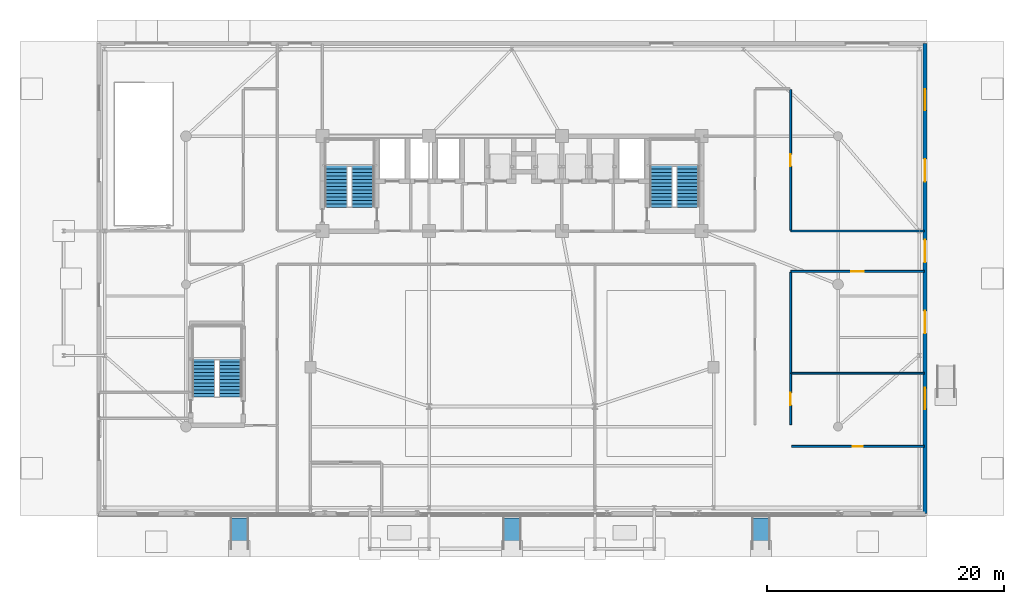
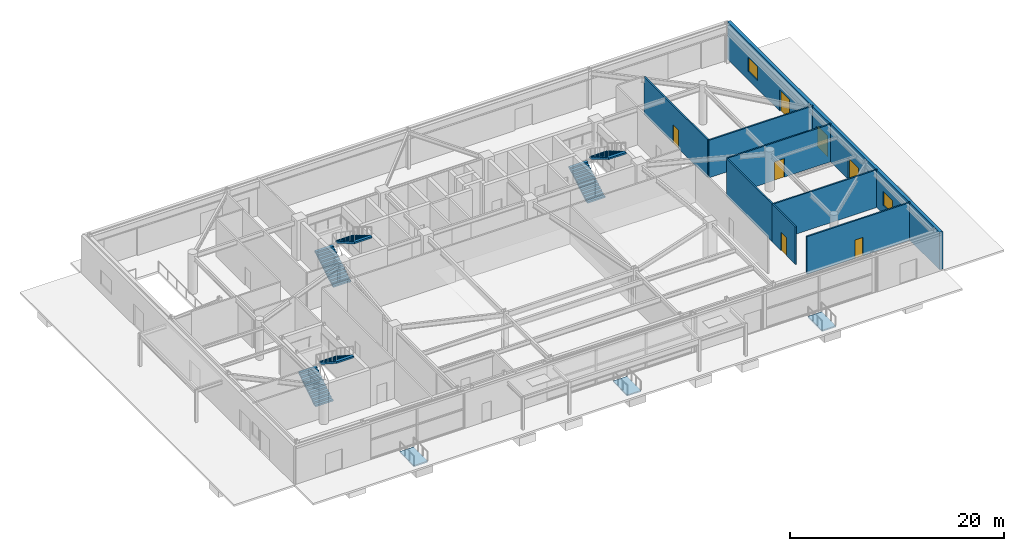
# One storey, part 23 of 29: 8 walls, 7 doors, 6 stair flights, 3 ramp flights, 2 windows, 9 openings, 6 elements without a shape of their own.
"""IFC4 building model written with IfcOpenShell, lengths in metres."""

from ifc_helpers import new_model, si_unit, direction, frame, frame_2d, origin, place, context, subcontext, project, spatial, polyline, rectangle, outline, extrude, source, transform, mapped, material, layer, layer_set, type_object, element, fill, aggregate, save


model = new_model("IFC4")

# Units and contexts
model_context = context("Model", 3, precision=1e-05, world=origin(), true_north=direction((0.0, 1.0)))
body_context = subcontext(model_context, "Body", "Model", "MODEL_VIEW")
ifc_project = project(units=[si_unit("LENGTHUNIT", "METRE"), si_unit("AREAUNIT", "SQUARE_METRE"), si_unit("VOLUMEUNIT", "CUBIC_METRE"), si_unit("PLANEANGLEUNIT", "RADIAN"), si_unit("MASSUNIT", "GRAM", prefix="KILO")], contexts=[model_context])

# Site, building, storey
site_placement = place(None, origin())
site = spatial("IfcSite", under=ifc_project, at=site_placement, CompositionType="ELEMENT")
building_placement = place(site_placement, origin())
building = spatial("IfcBuilding", under=site, at=building_placement, Name="Taldren Reach Tower", CompositionType="ELEMENT")
storey_placement = place(building_placement, origin())
storey = spatial("IfcBuildingStorey", under=building, at=storey_placement, Name="L00", CompositionType="ELEMENT", Elevation=0.0)

# Wall, openings, doors, windows
ifc_material_1 = material(Name="Pale Champagne Anodised Aluminium Cladding", Category="aluminium")
ifc_layer_1 = layer(ifc_material_1, 0.04, Name="Pale Champagne Anodised Aluminium Cladding", Category="aluminium")
ifc_material_2 = material(Name="Mineral Wool Thermal Insulation", Category="insulation")
ifc_layer_2 = layer(ifc_material_2, 0.08, Name="Mineral Wool Thermal Insulation", Category="insulation")
ifc_material_3 = material(Name="Concrete S50 (50 MPa)", Category="concrete")
ifc_layer_3 = layer(ifc_material_3, 0.22, Name="Concrete S50 (50 MPa)", Category="concrete")
ifc_layer_set_1 = layer_set([ifc_layer_1, ifc_layer_2, ifc_layer_3], Name="Pale Champagne Aluminium Cladding and Precast Concrete 50 MPa (S50)")
wall_type_1 = type_object("IfcWallType", Name="EW-POD-340", PredefinedType="SOLIDWALL", material=ifc_layer_set_1)
shared_shape_1 = source(origin(), body_context, "Body", "SweptSolid", [
    extrude(rectangle(XDim=39.66015625, YDim=0.340087890625, at=frame_2d((19.830078125, 0.0))), origin(), (0.0, 0.0, 1.0), 4.2900390625),
])
wall_1_placement = place(storey_placement, frame((69.830078125, 0.169921875, 0.0), z_axis=(0.0, 0.0, 1.0), x_axis=(0.0, 1.0, 0.0)))
wall_1 = element("IfcWall", 1, at=wall_1_placement, inside=storey, type_object=wall_type_1, Name="Podium east garden wall L00", PredefinedType="SOLIDWALL", context=body_context, shape_type="MappedRepresentation", body=[
    mapped(shared_shape_1, transform((0.0, 0.0, 0.0), scale=1.0)),
])
shared_shape_2 = source(origin(), body_context, "Body", "SweptSolid", [
    extrude(rectangle(XDim=1.89990234375, YDim=2.39990234375, at=frame_2d((0.949951171875, 1.199951171875))), frame((0.0, 0.18017578125, 0.0), z_axis=(0.0, -1.0, 0.0), x_axis=(1.0, 0.0, 0.0)), (0.0, 0.0, 1.0), 0.360107421875),
])
opening_1_placement = place(wall_1_placement, frame((21.179931640625, 0.0, 0.0)))
opening_1 = element("IfcOpeningElement", 2, at=opening_1_placement, cuts=wall_1, Name="Opening ED-190", PredefinedType="OPENING", context=body_context, shape_type="MappedRepresentation", body=[
    mapped(shared_shape_2, transform((0.0, 0.0, 0.0), scale=1.0)),
])
opening_2_placement = place(wall_1_placement, frame((15.199951171875, 0.0, 0.0)))
opening_2 = element("IfcOpeningElement", 3, at=opening_2_placement, cuts=wall_1, Name="Opening ED-190", PredefinedType="OPENING", context=body_context, shape_type="MappedRepresentation", body=[
    mapped(shared_shape_2, transform((0.0, 0.0, 0.0), scale=1.0)),
])
opening_3_placement = place(wall_1_placement, frame((28.0, 0.0, 0.0)))
opening_3 = element("IfcOpeningElement", 4, at=opening_3_placement, cuts=wall_1, Name="Opening ED-190", PredefinedType="OPENING", context=body_context, shape_type="MappedRepresentation", body=[
    mapped(shared_shape_2, transform((0.0, 0.0, 0.0), scale=1.0)),
])
shared_shape_3 = source(origin(), body_context, "Body", "SweptSolid", [
    extrude(rectangle(XDim=1.800048828125, YDim=1.60009765625, at=frame_2d((0.89990234375, 0.800048828125))), frame((0.0, 0.18017578125, 0.0), z_axis=(0.0, -1.0, 0.0), x_axis=(1.0, 0.0, 0.0)), (0.0, 0.0, 1.0), 0.360107421875),
])
opening_4_placement = place(wall_1_placement, frame((8.800048828125, 0.0, 0.949951171875)))
opening_4 = element("IfcOpeningElement", 5, at=opening_4_placement, cuts=wall_1, Name="Opening W-1816", PredefinedType="OPENING", context=body_context, shape_type="MappedRepresentation", body=[
    mapped(shared_shape_3, transform((0.0, 0.0, 0.0), scale=1.0)),
])
opening_5_placement = place(wall_1_placement, frame((34.0, 0.0, 0.949951171875)))
opening_5 = element("IfcOpeningElement", 6, at=opening_5_placement, cuts=wall_1, Name="Opening W-1816", PredefinedType="OPENING", context=body_context, shape_type="MappedRepresentation", body=[
    mapped(shared_shape_3, transform((0.0, 0.0, 0.0), scale=1.0)),
])
ifc_material_4 = material(Name="Glazed Aluminium Double Exit Door", Category="aluminium")
door_type_1 = type_object("IfcDoorType", Name="ED-EXIT-1900", OperationType="DOUBLE_DOOR_SINGLE_SWING", PredefinedType="DOOR", material=ifc_material_4)
shared_shape_4 = source(origin(), body_context, "Body", "SweptSolid", [
    extrude(rectangle(XDim=1.89990234375, YDim=2.39990234375, at=frame_2d((0.949951171875, 1.199951171875))), frame((0.0, 0.02490234375, 0.0), z_axis=(0.0, -1.0, 0.0), x_axis=(1.0, 0.0, 0.0)), (0.0, 0.0, 1.0), 0.050048828125),
])
door_1_placement = place(opening_1_placement, frame((1.89990234375, 0.0, 0.0), z_axis=(0.0, 0.0, 1.0), x_axis=(-1.0, 0.0, 0.0)))
door_1 = element("IfcDoor", 7, at=door_1_placement, inside=storey, type_object=door_type_1, Name="East garden exit door ED-L00-E1", OperationType="DOUBLE_DOOR_SINGLE_SWING", OverallHeight=2.39990234375, OverallWidth=1.89990234375, PredefinedType="DOOR", context=body_context, shape_type="MappedRepresentation", body=[
    mapped(shared_shape_4, transform((0.0, 0.0, 0.0), scale=1.0)),
])
fill(opening_1, door_1)
door_2_placement = place(opening_2_placement, frame((1.89990234375, 0.0, 0.0), z_axis=(0.0, 0.0, 1.0), x_axis=(-1.0, 0.0, 0.0)))
door_2 = element("IfcDoor", 8, at=door_2_placement, inside=storey, type_object=door_type_1, Name="East garden exit door ED-L00-E2", OperationType="DOUBLE_DOOR_SINGLE_SWING", OverallHeight=2.39990234375, OverallWidth=1.89990234375, PredefinedType="DOOR", context=body_context, shape_type="MappedRepresentation", body=[
    mapped(shared_shape_4, transform((0.0, 0.0, 0.0), scale=1.0)),
])
fill(opening_2, door_2)
door_3_placement = place(opening_3_placement, frame((1.89990234375, 0.0, 0.0), z_axis=(0.0, 0.0, 1.0), x_axis=(-1.0, 0.0, 0.0)))
door_3 = element("IfcDoor", 9, at=door_3_placement, inside=storey, type_object=door_type_1, Name="East garden exit door ED-L00-E3", OperationType="DOUBLE_DOOR_SINGLE_SWING", OverallHeight=2.39990234375, OverallWidth=1.89990234375, PredefinedType="DOOR", context=body_context, shape_type="MappedRepresentation", body=[
    mapped(shared_shape_4, transform((0.0, 0.0, 0.0), scale=1.0)),
])
fill(opening_3, door_3)
ifc_material_5 = material(Name="Thermally Broken Aluminium and Low-E IGU", Category="aluminium")
window_type = type_object("IfcWindowType", Name="WN-POD-1800", PartitioningType="SINGLE_PANEL", PredefinedType="WINDOW", material=ifc_material_5)
shared_shape_5 = source(origin(), body_context, "Body", "SweptSolid", [
    extrude(rectangle(XDim=1.800048828125, YDim=1.60009765625, at=frame_2d((0.89990234375, 0.800048828125))), frame((0.0, 0.030029296875, 0.0), z_axis=(0.0, -1.0, 0.0), x_axis=(1.0, 0.0, 0.0)), (0.0, 0.0, 1.0), 0.06005859375),
])
window_1_placement = place(opening_4_placement, origin())
window_1 = element("IfcWindow", 10, at=window_1_placement, inside=storey, type_object=window_type, Name="East clinic window L00-E1", OverallHeight=1.60009765625, OverallWidth=1.800048828125, PartitioningType="SINGLE_PANEL", PredefinedType="WINDOW", context=body_context, shape_type="MappedRepresentation", body=[
    mapped(shared_shape_5, transform((0.0, 0.0, 0.0), scale=1.0)),
])
fill(opening_4, window_1)
window_2_placement = place(opening_5_placement, origin())
window_2 = element("IfcWindow", 11, at=window_2_placement, inside=storey, type_object=window_type, Name="East clinic window L00-E2", OverallHeight=1.60009765625, OverallWidth=1.800048828125, PartitioningType="SINGLE_PANEL", PredefinedType="WINDOW", context=body_context, shape_type="MappedRepresentation", body=[
    mapped(shared_shape_5, transform((0.0, 0.0, 0.0), scale=1.0)),
])
fill(opening_5, window_2)

# Wall, opening, door
ifc_material_6 = material(Name="Fire-Rated Acoustic Plasterboard Stud Wall", Category="gypsum")
ifc_layer_4 = layer(ifc_material_6, 0.159912109375)
ifc_layer_set_2 = layer_set([ifc_layer_4], Name="Fire-Rated Acoustic Plasterboard Stud Wall")
wall_type_2 = type_object("IfcWallType", Name="IW-FIRE-160", PredefinedType="PARTITIONING", material=ifc_layer_set_2)
shared_shape_6 = source(origin(), body_context, "Body", "SweptSolid", [
    extrude(rectangle(XDim=11.83984375, YDim=0.159912109375, at=frame_2d((5.919921875, 0.0))), origin(), (0.0, 0.0, 1.0), 4.2900390625),
])
wall_2_placement = place(storey_placement, frame((58.5, 35.919921875, 0.0), z_axis=(0.0, 0.0, 1.0), x_axis=(0.0, -1.0, 0.0)))
wall_2 = element("IfcWall", 12, at=wall_2_placement, inside=storey, type_object=wall_type_2, Name="Interior Partition Wall W-INT-L00-067", PredefinedType="PARTITIONING", context=body_context, shape_type="MappedRepresentation", body=[
    mapped(shared_shape_6, transform((0.0, 0.0, 0.0), scale=1.0)),
])
shared_shape_7 = source(origin(), body_context, "Body", "SweptSolid", [
    extrude(rectangle(XDim=1.050048828125, YDim=2.10009765625, at=frame_2d((0.52490234375, 1.050048828125))), frame((0.0, 0.08984375, 0.0), z_axis=(0.0, -1.0, 0.0), x_axis=(1.0, 0.0, 0.0)), (0.0, 0.0, 1.0), 0.179931640625),
])
opening_6_placement = place(wall_2_placement, frame((5.4248046875, 0.0, 0.0)))
opening_6 = element("IfcOpeningElement", 13, at=opening_6_placement, cuts=wall_2, Name="Opening DF-105", PredefinedType="OPENING", context=body_context, shape_type="MappedRepresentation", body=[
    mapped(shared_shape_7, transform((0.0, 0.0, 0.0), scale=1.0)),
])
ifc_material_7 = material(Name="Fire-Rated Care and Stair Exit Door")
door_type_2 = type_object("IfcDoorType", Name="ID-FIRE-105", OperationType="NOTDEFINED", PredefinedType="DOOR", material=ifc_material_7)
shared_shape_8 = source(origin(), body_context, "Body", "SweptSolid", [
    extrude(rectangle(XDim=1.050048828125, YDim=2.10009765625, at=frame_2d((0.52490234375, 1.050048828125))), frame((0.0, 0.02490234375, 0.0), z_axis=(0.0, -1.0, 0.0), x_axis=(1.0, 0.0, 0.0)), (0.0, 0.0, 1.0), 0.050048828125),
])
door_4_placement = place(opening_6_placement, origin())
door_4 = element("IfcDoor", 14, at=door_4_placement, inside=storey, type_object=door_type_2, Name="Interior Door DR-L00-020", OperationType="SINGLE_SWING_LEFT", OverallHeight=2.10009765625, OverallWidth=1.050048828125, PredefinedType="DOOR", context=body_context, shape_type="MappedRepresentation", body=[
    mapped(shared_shape_8, transform((0.0, 0.0, 0.0), scale=1.0)),
])
fill(opening_6, door_4)

shared_shape_9 = source(origin(), body_context, "Body", "SweptSolid", [
    extrude(rectangle(XDim=4.2998046875, YDim=0.159912109375, at=frame_2d((2.14990234375, 0.0))), origin(), (0.0, 0.0, 1.0), 4.2900390625),
])
wall_3_placement = place(storey_placement, frame((58.5, 11.979736328125, 0.0), z_axis=(0.0, 0.0, 1.0), x_axis=(0.0, -1.0, 0.0)))
wall_3 = element("IfcWall", 15, at=wall_3_placement, inside=storey, type_object=wall_type_2, Name="Interior Partition Wall W-INT-L00-062", PredefinedType="PARTITIONING", context=body_context, shape_type="MappedRepresentation", body=[
    mapped(shared_shape_9, transform((0.0, 0.0, 0.0), scale=1.0)),
])
opening_7_placement = place(wall_3_placement, frame((1.624755859375, 0.0, 0.0)))
opening_7 = element("IfcOpeningElement", 16, at=opening_7_placement, cuts=wall_3, Name="Opening DF-105", PredefinedType="OPENING", context=body_context, shape_type="MappedRepresentation", body=[
    mapped(shared_shape_7, transform((0.0, 0.0, 0.0), scale=1.0)),
])
door_5_placement = place(opening_7_placement, origin())
door_5 = element("IfcDoor", 17, at=door_5_placement, inside=storey, type_object=door_type_2, Name="Interior Door DR-L00-017", OperationType="SINGLE_SWING_RIGHT", OverallHeight=2.10009765625, OverallWidth=1.050048828125, PredefinedType="DOOR", context=body_context, shape_type="MappedRepresentation", body=[
    mapped(shared_shape_8, transform((0.0, 0.0, 0.0), scale=1.0)),
])
fill(opening_7, door_5)

shared_shape_10 = source(origin(), body_context, "Body", "SweptSolid", [
    extrude(rectangle(XDim=11.249755859375, YDim=0.159912109375, at=frame_2d((5.625, 0.0))), origin(), (0.0, 0.0, 1.0), 4.2900390625),
])
wall_4_placement = place(storey_placement, frame((69.77001953125, 20.60009765625, 0.0), z_axis=(0.0, 0.0, 1.0), x_axis=(-1.0, 0.0, 0.0)))
wall_4 = element("IfcWall", 18, at=wall_4_placement, inside=storey, type_object=wall_type_2, Name="Interior Partition Wall W-INT-L00-063", PredefinedType="PARTITIONING", context=body_context, shape_type="MappedRepresentation", body=[
    mapped(shared_shape_10, transform((0.0, 0.0, 0.0), scale=1.0)),
])
opening_8_placement = place(wall_4_placement, frame((5.099853515625, 0.0, 0.0)))
opening_8 = element("IfcOpeningElement", 19, at=opening_8_placement, cuts=wall_4, Name="Opening DF-105", PredefinedType="OPENING", context=body_context, shape_type="MappedRepresentation", body=[
    mapped(shared_shape_7, transform((0.0, 0.0, 0.0), scale=1.0)),
])
door_6_placement = place(opening_8_placement, origin())
door_6 = element("IfcDoor", 20, at=door_6_placement, inside=storey, type_object=door_type_2, Name="Interior Door DR-L00-018", OperationType="SINGLE_SWING_LEFT", OverallHeight=2.10009765625, OverallWidth=1.050048828125, PredefinedType="DOOR", context=body_context, shape_type="MappedRepresentation", body=[
    mapped(shared_shape_8, transform((0.0, 0.0, 0.0), scale=1.0)),
])
fill(opening_8, door_6)

# Walls
wall_5_placement = place(storey_placement, frame((58.520263671875, 24.0, 0.0), z_axis=(0.0, 0.0, 1.0), x_axis=(1.0, 0.0, 0.0)))
element("IfcWall", 21, at=wall_5_placement, inside=storey, type_object=wall_type_2, Name="Interior Partition Wall W-INT-L00-068", PredefinedType="PARTITIONING", context=body_context, shape_type="MappedRepresentation", body=[
    mapped(shared_shape_10, transform((0.0, 0.0, 0.0), scale=1.0)),
])
shared_shape_11 = source(origin(), body_context, "Body", "SweptSolid", [
    extrude(rectangle(XDim=8.499755859375, YDim=0.159912109375, at=frame_2d((4.25, 0.0))), origin(), (0.0, 0.0, 1.0), 4.2900390625),
])
wall_6_placement = place(storey_placement, frame((58.5, 20.52001953125, 0.0), z_axis=(0.0, 0.0, 1.0), x_axis=(0.0, -1.0, 0.0)))
element("IfcWall", 22, at=wall_6_placement, inside=storey, type_object=wall_type_2, Name="Interior Partition Wall W-INT-L00-064", PredefinedType="PARTITIONING", context=body_context, shape_type="MappedRepresentation", body=[
    mapped(shared_shape_11, transform((0.0, 0.0, 0.0), scale=1.0)),
])

# Wall, opening, door
shared_shape_12 = source(origin(), body_context, "Body", "SweptSolid", [
    extrude(rectangle(XDim=11.18994140625, YDim=0.159912109375, at=frame_2d((5.594970703125, 0.0))), origin(), (0.0, 0.0, 1.0), 4.2900390625),
])
wall_7_placement = place(storey_placement, frame((58.580078125, 5.837890625, 0.0), z_axis=(0.0, 0.0, 1.0), x_axis=(1.0, 0.0, 0.0)))
wall_7 = element("IfcWall", 23, at=wall_7_placement, inside=storey, type_object=wall_type_2, Name="Interior Partition Wall W-INT-L00-082", PredefinedType="PARTITIONING", context=body_context, shape_type="MappedRepresentation", body=[
    mapped(shared_shape_12, transform((0.0, 0.0, 0.0), scale=1.0)),
])
shared_shape_13 = source(origin(), body_context, "Body", "SweptSolid", [
    extrude(rectangle(XDim=0.860107421875, YDim=2.10009765625, at=frame_2d((0.43017578125, 1.050048828125))), frame((0.0, 0.08984375, 0.0), z_axis=(0.0, -1.0, 0.0), x_axis=(1.0, 0.0, 0.0)), (0.0, 0.0, 1.0), 0.179931640625),
])
opening_9_placement = place(wall_7_placement, frame((5.1650390625, 0.0, 0.0)))
opening_9 = element("IfcOpeningElement", 24, at=opening_9_placement, cuts=wall_7, Name="Opening DI-086", PredefinedType="OPENING", context=body_context, shape_type="MappedRepresentation", body=[
    mapped(shared_shape_13, transform((0.0, 0.0, 0.0), scale=1.0)),
])
ifc_material_8 = material(Name="Timber Bathroom Door", Category="wood")
door_type_3 = type_object("IfcDoorType", Name="ID-INT-086", OperationType="NOTDEFINED", PredefinedType="DOOR", material=ifc_material_8)
shared_shape_14 = source(origin(), body_context, "Body", "SweptSolid", [
    extrude(rectangle(XDim=0.860107421875, YDim=2.10009765625, at=frame_2d((0.43017578125, 1.050048828125))), frame((0.0, 0.02490234375, 0.0), z_axis=(0.0, -1.0, 0.0), x_axis=(1.0, 0.0, 0.0)), (0.0, 0.0, 1.0), 0.050048828125),
])
door_7_placement = place(opening_9_placement, frame((0.860107421875, 0.0, 0.0), z_axis=(0.0, 0.0, 1.0), x_axis=(-1.0, 0.0, 0.0)))
door_7 = element("IfcDoor", 25, at=door_7_placement, inside=storey, type_object=door_type_3, Name="Interior Door DR-L00-022", OperationType="SINGLE_SWING_RIGHT", OverallHeight=2.10009765625, OverallWidth=0.860107421875, PredefinedType="DOOR", context=body_context, shape_type="MappedRepresentation", body=[
    mapped(shared_shape_14, transform((0.0, 0.0, 0.0), scale=1.0)),
])
fill(opening_9, door_7)

# Wall
shared_shape_15 = source(origin(), body_context, "Body", "SweptSolid", [
    extrude(rectangle(XDim=11.18603515625, YDim=0.159912109375, at=frame_2d((5.593017578125, 0.0))), origin(), (0.0, 0.0, 1.0), 4.2900390625),
])
wall_8_placement = place(storey_placement, frame((58.58203125, 12.0, 0.0), z_axis=(0.0, 0.0, 1.0), x_axis=(1.0, 0.0, 0.0)))
element("IfcWall", 26, at=wall_8_placement, inside=storey, type_object=wall_type_2, Name="Interior Partition Wall W-INT-L00-083", PredefinedType="PARTITIONING", context=body_context, shape_type="MappedRepresentation", body=[
    mapped(shared_shape_15, transform((0.0, 0.0, 0.0), scale=1.0)),
])

# Stair, stair flights
stair_type_1 = type_object("IfcStairType", Name="ST-HT-455", PredefinedType="HALF_TURN_STAIR", material=ifc_material_3)
stair_1_placement = place(storey_placement, origin())
stair_1 = element("IfcStair", 27, at=stair_1_placement, inside=storey, type_object=stair_type_1, Name="Fire-isolated exit stair ST1 L00", PredefinedType="HALF_TURN_STAIR")
stair_flight_type_1 = type_object("IfcStairFlightType", Name="SF-STR-455", PredefinedType="STRAIGHT", material=ifc_material_3)
stair_flight_1_placement = place(storey_placement, frame((20.169921875, 25.989990234375, 0.0), z_axis=(0.0, 0.0, 1.0), x_axis=(0.0, 1.0, 0.0)))
stair_flight_1 = element("IfcStairFlight", 28, at=stair_flight_1_placement, type_object=stair_flight_type_1, Name="ST1 flight 1", NumberOfRisers=13, NumberOfTreads=12, PredefinedType="STRAIGHT", RiserHeight=0.175, TreadLength=0.295, context=body_context, shape_type="SweptSolid", body=[
    extrude(outline(polyline([(0.0, 0.0), (0.0, 0.175048828125), (0.294921875, 0.175048828125), (0.294921875, 0.35009765625), (0.590087890625, 0.35009765625), (0.590087890625, 0.52490234375), (0.885009765625, 0.52490234375), (0.885009765625, 0.699951171875), (1.179931640625, 0.699951171875), (1.179931640625, 0.875), (1.47509765625, 0.875), (1.47509765625, 1.050048828125), (1.77001953125, 1.050048828125), (1.77001953125, 1.22509765625), (2.06494140625, 1.22509765625), (2.06494140625, 1.39990234375), (2.360107421875, 1.39990234375), (2.360107421875, 1.574951171875), (2.655029296875, 1.574951171875), (2.655029296875, 1.75), (2.949951171875, 1.75), (2.949951171875, 1.925048828125), (3.2451171875, 1.925048828125), (3.2451171875, 2.10009765625), (3.5400390625, 2.10009765625), (3.5400390625, 2.27490234375), (3.5400390625, 1.9140625), (0.3134765625, 0.0), (0.0, 0.0)])), frame((0.0, 0.949951171875, 0.0), z_axis=(0.0, -1.0, 0.0), x_axis=(1.0, 0.0, 0.0)), (0.0, 0.0, 1.0), 1.89990234375),
])
stair_flight_2_placement = place(storey_placement, frame((22.429931640625, 29.530029296875, 2.27490234375), z_axis=(0.0, 0.0, 1.0), x_axis=(0.0, -1.0, 0.0)))
stair_flight_2 = element("IfcStairFlight", 29, at=stair_flight_2_placement, type_object=stair_flight_type_1, Name="ST1 flight 2", NumberOfRisers=13, NumberOfTreads=12, PredefinedType="STRAIGHT", RiserHeight=0.175, TreadLength=0.295, context=body_context, shape_type="SweptSolid", body=[
    extrude(outline(polyline([(0.0, 0.0), (0.0, 0.175048828125), (0.294921875, 0.175048828125), (0.294921875, 0.35009765625), (0.590087890625, 0.35009765625), (0.590087890625, 0.52490234375), (0.885009765625, 0.52490234375), (0.885009765625, 0.699951171875), (1.179931640625, 0.699951171875), (1.179931640625, 0.875), (1.47509765625, 0.875), (1.47509765625, 1.050048828125), (1.77001953125, 1.050048828125), (1.77001953125, 1.22509765625), (2.06494140625, 1.22509765625), (2.06494140625, 1.39990234375), (2.360107421875, 1.39990234375), (2.360107421875, 1.574951171875), (2.655029296875, 1.574951171875), (2.655029296875, 1.75), (2.949951171875, 1.75), (2.949951171875, 1.925048828125), (3.2451171875, 1.925048828125), (3.2451171875, 2.10009765625), (3.5400390625, 2.10009765625), (3.5400390625, 2.27490234375), (3.5400390625, 1.9140625), (0.3134765625, 0.0), (0.0, 0.0)])), frame((0.0, 0.949951171875, 0.0), z_axis=(0.0, -1.0, 0.0), x_axis=(1.0, 0.0, 0.0)), (0.0, 0.0, 1.0), 1.89990234375),
])
aggregate(stair_1, [stair_flight_1, stair_flight_2])

stair_2_placement = place(storey_placement, origin())
stair_2 = element("IfcStair", 30, at=stair_2_placement, inside=storey, type_object=stair_type_1, Name="Fire-isolated exit stair ST2 L00", PredefinedType="HALF_TURN_STAIR")
stair_flight_3_placement = place(storey_placement, frame((47.570068359375, 25.989990234375, 0.0), z_axis=(0.0, 0.0, 1.0), x_axis=(0.0, 1.0, 0.0)))
stair_flight_3 = element("IfcStairFlight", 31, at=stair_flight_3_placement, type_object=stair_flight_type_1, Name="ST2 flight 1", NumberOfRisers=13, NumberOfTreads=12, PredefinedType="STRAIGHT", RiserHeight=0.175, TreadLength=0.295, context=body_context, shape_type="SweptSolid", body=[
    extrude(outline(polyline([(0.0, 0.0), (0.0, 0.175048828125), (0.294921875, 0.175048828125), (0.294921875, 0.35009765625), (0.590087890625, 0.35009765625), (0.590087890625, 0.52490234375), (0.885009765625, 0.52490234375), (0.885009765625, 0.699951171875), (1.179931640625, 0.699951171875), (1.179931640625, 0.875), (1.47509765625, 0.875), (1.47509765625, 1.050048828125), (1.77001953125, 1.050048828125), (1.77001953125, 1.22509765625), (2.06494140625, 1.22509765625), (2.06494140625, 1.39990234375), (2.360107421875, 1.39990234375), (2.360107421875, 1.574951171875), (2.655029296875, 1.574951171875), (2.655029296875, 1.75), (2.949951171875, 1.75), (2.949951171875, 1.925048828125), (3.2451171875, 1.925048828125), (3.2451171875, 2.10009765625), (3.5400390625, 2.10009765625), (3.5400390625, 2.27490234375), (3.5400390625, 1.9140625), (0.3134765625, 0.0), (0.0, 0.0)])), frame((0.0, 0.949951171875, 0.0), z_axis=(0.0, -1.0, 0.0), x_axis=(1.0, 0.0, 0.0)), (0.0, 0.0, 1.0), 1.89990234375),
])
stair_flight_4_placement = place(storey_placement, frame((49.830078125, 29.530029296875, 2.27490234375), z_axis=(0.0, 0.0, 1.0), x_axis=(0.0, -1.0, 0.0)))
stair_flight_4 = element("IfcStairFlight", 32, at=stair_flight_4_placement, type_object=stair_flight_type_1, Name="ST2 flight 2", NumberOfRisers=13, NumberOfTreads=12, PredefinedType="STRAIGHT", RiserHeight=0.175, TreadLength=0.295, context=body_context, shape_type="SweptSolid", body=[
    extrude(outline(polyline([(0.0, 0.0), (0.0, 0.175048828125), (0.294921875, 0.175048828125), (0.294921875, 0.35009765625), (0.590087890625, 0.35009765625), (0.590087890625, 0.52490234375), (0.885009765625, 0.52490234375), (0.885009765625, 0.699951171875), (1.179931640625, 0.699951171875), (1.179931640625, 0.875), (1.47509765625, 0.875), (1.47509765625, 1.050048828125), (1.77001953125, 1.050048828125), (1.77001953125, 1.22509765625), (2.06494140625, 1.22509765625), (2.06494140625, 1.39990234375), (2.360107421875, 1.39990234375), (2.360107421875, 1.574951171875), (2.655029296875, 1.574951171875), (2.655029296875, 1.75), (2.949951171875, 1.75), (2.949951171875, 1.925048828125), (3.2451171875, 1.925048828125), (3.2451171875, 2.10009765625), (3.5400390625, 2.10009765625), (3.5400390625, 2.27490234375), (3.5400390625, 1.9140625), (0.3134765625, 0.0), (0.0, 0.0)])), frame((0.0, 0.949951171875, 0.0), z_axis=(0.0, -1.0, 0.0), x_axis=(1.0, 0.0, 0.0)), (0.0, 0.0, 1.0), 1.89990234375),
])
aggregate(stair_2, [stair_flight_3, stair_flight_4])

stair_type_2 = type_object("IfcStairType", Name="ST-HT-POD", PredefinedType="HALF_TURN_STAIR", material=ifc_material_3)
stair_3_placement = place(storey_placement, origin())
stair_3 = element("IfcStair", 33, at=stair_3_placement, inside=storey, type_object=stair_type_2, Name="Fire-isolated exit stair ST3 L00", PredefinedType="HALF_TURN_STAIR")
stair_flight_type_2 = type_object("IfcStairFlightType", Name="SF-STR-POD", PredefinedType="STRAIGHT", material=ifc_material_3)
stair_flight_5_placement = place(storey_placement, frame((9.0, 9.989990234375, 0.0), z_axis=(0.0, 0.0, 1.0), x_axis=(0.0, 1.0, 0.0)))
stair_flight_5 = element("IfcStairFlight", 34, at=stair_flight_5_placement, type_object=stair_flight_type_2, Name="ST3 flight 1", NumberOfRisers=12, NumberOfTreads=11, PredefinedType="STRAIGHT", RiserHeight=0.189583, TreadLength=0.295, context=body_context, shape_type="SweptSolid", body=[
    extrude(outline(polyline([(0.0, 0.0), (0.0, 0.189697265625), (0.294921875, 0.189697265625), (0.294921875, 0.379150390625), (0.590087890625, 0.379150390625), (0.590087890625, 0.56884765625), (0.885009765625, 0.56884765625), (0.885009765625, 0.75830078125), (1.179931640625, 0.75830078125), (1.179931640625, 0.947998046875), (1.47509765625, 0.947998046875), (1.47509765625, 1.137451171875), (1.77001953125, 1.137451171875), (1.77001953125, 1.3271484375), (2.06494140625, 1.3271484375), (2.06494140625, 1.5166015625), (2.360107421875, 1.5166015625), (2.360107421875, 1.706298828125), (2.655029296875, 1.706298828125), (2.655029296875, 1.895751953125), (2.949951171875, 1.895751953125), (2.949951171875, 2.08544921875), (3.2451171875, 2.08544921875), (3.2451171875, 2.27490234375), (3.2451171875, 1.895263671875), (0.2958984375, 0.0), (0.0, 0.0)])), frame((0.0, 0.949951171875, 0.0), z_axis=(0.0, -1.0, 0.0), x_axis=(1.0, 0.0, 0.0)), (0.0, 0.0, 1.0), 1.89990234375),
])
stair_flight_6_placement = place(storey_placement, frame((11.239990234375, 13.235107421875, 2.27490234375), z_axis=(0.0, 0.0, 1.0), x_axis=(0.0, -1.0, 0.0)))
stair_flight_6 = element("IfcStairFlight", 35, at=stair_flight_6_placement, type_object=stair_flight_type_2, Name="ST3 flight 2", NumberOfRisers=12, NumberOfTreads=11, PredefinedType="STRAIGHT", RiserHeight=0.189583, TreadLength=0.295, context=body_context, shape_type="SweptSolid", body=[
    extrude(outline(polyline([(0.0, 0.0), (0.0, 0.189697265625), (0.294921875, 0.189697265625), (0.294921875, 0.379150390625), (0.590087890625, 0.379150390625), (0.590087890625, 0.56884765625), (0.885009765625, 0.56884765625), (0.885009765625, 0.75830078125), (1.179931640625, 0.75830078125), (1.179931640625, 0.947998046875), (1.47509765625, 0.947998046875), (1.47509765625, 1.137451171875), (1.77001953125, 1.137451171875), (1.77001953125, 1.3271484375), (2.06494140625, 1.3271484375), (2.06494140625, 1.5166015625), (2.360107421875, 1.5166015625), (2.360107421875, 1.706298828125), (2.655029296875, 1.706298828125), (2.655029296875, 1.895751953125), (2.949951171875, 1.895751953125), (2.949951171875, 2.08544921875), (3.2451171875, 2.08544921875), (3.2451171875, 2.27490234375), (3.2451171875, 1.895263671875), (0.2958984375, 0.0), (0.0, 0.0)])), frame((0.0, 0.949951171875, 0.0), z_axis=(0.0, -1.0, 0.0), x_axis=(1.0, 0.0, 0.0)), (0.0, 0.0, 1.0), 1.89990234375),
])
aggregate(stair_3, [stair_flight_5, stair_flight_6])

# Ramp, ramp flight
ifc_material_9 = material(Name="Concrete N40 (40 MPa)", Category="concrete")
ramp_type = type_object("IfcRampType", Name="RMP-PED-180", PredefinedType="STRAIGHT_RUN_RAMP", material=ifc_material_9)
ramp_1_placement = place(storey_placement, origin())
ramp_1 = element("IfcRamp", 36, at=ramp_1_placement, inside=storey, type_object=ramp_type, Name="Accessible pedestrian entry ramp S1", PredefinedType="STRAIGHT_RUN_RAMP")
ifc_layer_5 = layer(ifc_material_9, 0.179931640625)
ifc_layer_set_3 = layer_set([ifc_layer_5], Name="Concrete N40 (40 MPa)")
ramp_flight_type = type_object("IfcRampFlightType", Name="RMF-PED-180", PredefinedType="STRAIGHT", material=ifc_layer_set_3)
ramp_flight_1_placement = place(storey_placement, frame((12.0, -2.800048828125, -0.0400390625), z_axis=(0.0, 0.0, 1.0), x_axis=(0.0, 1.0, 0.0)))
ramp_flight_1 = element("IfcRampFlight", 37, at=ramp_flight_1_placement, type_object=ramp_flight_type, Name="Accessible ramp flight S1", PredefinedType="STRAIGHT", context=body_context, shape_type="SweptSolid", body=[
    extrude(outline(polyline([(0.0, -0.14990234375), (0.0, 0.0), (2.60009765625, 0.0400390625), (2.60009765625, -0.10986328125), (0.0, -0.14990234375)])), frame((0.0, 0.75, 0.0), z_axis=(0.0, -1.0, 0.0), x_axis=(1.0, 0.0, 0.0)), (0.0, 0.0, 1.0), 1.5),
])
aggregate(ramp_1, [ramp_flight_1])

ramp_2_placement = place(storey_placement, origin())
ramp_2 = element("IfcRamp", 38, at=ramp_2_placement, inside=storey, type_object=ramp_type, Name="Accessible pedestrian entry ramp S2", PredefinedType="STRAIGHT_RUN_RAMP")
ramp_flight_2_placement = place(storey_placement, frame((35.0, -2.800048828125, -0.0400390625), z_axis=(0.0, 0.0, 1.0), x_axis=(0.0, 1.0, 0.0)))
ramp_flight_2 = element("IfcRampFlight", 39, at=ramp_flight_2_placement, type_object=ramp_flight_type, Name="Accessible ramp flight S2", PredefinedType="STRAIGHT", context=body_context, shape_type="SweptSolid", body=[
    extrude(outline(polyline([(0.0, -0.14990234375), (0.0, 0.0), (2.60009765625, 0.0400390625), (2.60009765625, -0.10986328125), (0.0, -0.14990234375)])), frame((0.0, 0.75, 0.0), z_axis=(0.0, -1.0, 0.0), x_axis=(1.0, 0.0, 0.0)), (0.0, 0.0, 1.0), 1.5),
])
aggregate(ramp_2, [ramp_flight_2])

ramp_3_placement = place(storey_placement, origin())
ramp_3 = element("IfcRamp", 40, at=ramp_3_placement, inside=storey, type_object=ramp_type, Name="Accessible pedestrian entry ramp S3", PredefinedType="STRAIGHT_RUN_RAMP")
ramp_flight_3_placement = place(storey_placement, frame((56.0, -2.800048828125, -0.0400390625), z_axis=(0.0, 0.0, 1.0), x_axis=(0.0, 1.0, 0.0)))
ramp_flight_3 = element("IfcRampFlight", 41, at=ramp_flight_3_placement, type_object=ramp_flight_type, Name="Accessible ramp flight S3", PredefinedType="STRAIGHT", context=body_context, shape_type="SweptSolid", body=[
    extrude(outline(polyline([(0.0, -0.14990234375), (0.0, 0.0), (2.60009765625, 0.0400390625), (2.60009765625, -0.10986328125), (0.0, -0.14990234375)])), frame((0.0, 0.75, 0.0), z_axis=(0.0, -1.0, 0.0), x_axis=(1.0, 0.0, 0.0)), (0.0, 0.0, 1.0), 1.5),
])
aggregate(ramp_3, [ramp_flight_3])

save(model, "model.ifc")
